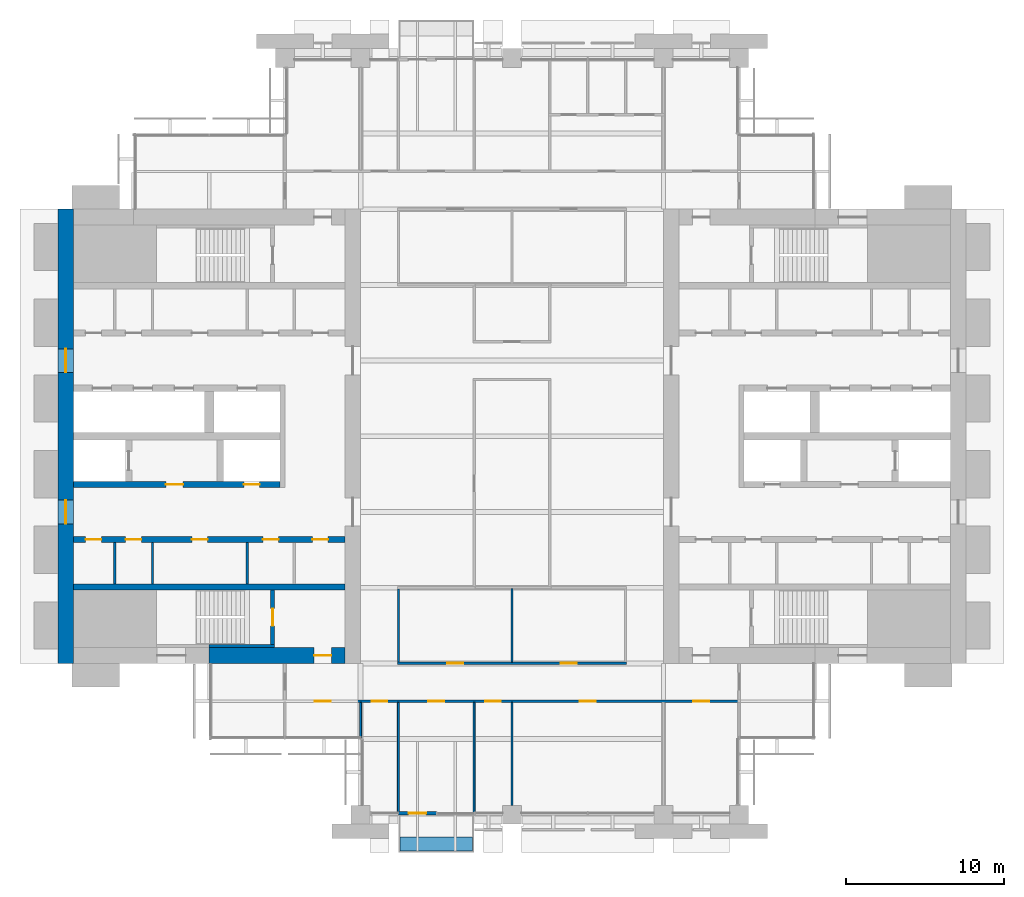
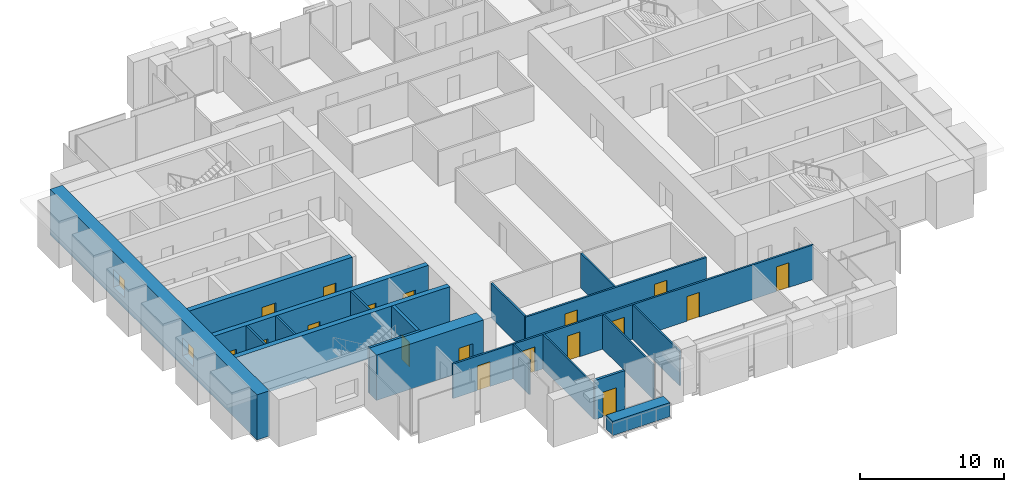
# One storey, part 9 of 15: 20 walls, 18 doors, 2 windows, 20 openings.
"""IFC4 building model written with IfcOpenShell, lengths in metres."""

from ifc_helpers import new_model, si_unit, direction, frame, frame_2d, origin, place, context, subcontext, project, spatial, rectangle, extrude, material, layer, layer_set, type_object, element, fill, save


model = new_model("IFC4")

# Units and contexts
model_context = context("Model", 3, precision=1e-05, world=origin(), true_north=direction((0.0, 1.0)))
body_context = subcontext(model_context, "Body", "Model", "MODEL_VIEW")
ifc_project = project(units=[si_unit("LENGTHUNIT", "METRE"), si_unit("AREAUNIT", "SQUARE_METRE"), si_unit("VOLUMEUNIT", "CUBIC_METRE"), si_unit("PLANEANGLEUNIT", "RADIAN"), si_unit("MASSUNIT", "GRAM", prefix="KILO")], contexts=[model_context])

# Site, building, storey
site_placement = place(None, origin())
site = spatial("IfcSite", under=ifc_project, at=site_placement, CompositionType="ELEMENT")
building_placement = place(site_placement, origin())
building = spatial("IfcBuilding", under=site, at=building_placement, Name="Baori Bourse Tower", CompositionType="ELEMENT")
storey_placement = place(building_placement, frame((0.0, 0.0, 152.10009765625)))
storey = spatial("IfcBuildingStorey", under=building, at=storey_placement, Name="L33", CompositionType="ELEMENT", Elevation=152.10009765625)

# Walls
ifc_material_1 = material(Name="Blockwork partition", Category="masonry")
ifc_layer_1 = layer(ifc_material_1, 0.14990234375)
ifc_layer_set_1 = layer_set([ifc_layer_1], Name="Core partition 150")
wall_type_1 = type_object("IfcWallType", Name="Core partition 150", PredefinedType="PARTITIONING", material=ifc_layer_set_1)
for number, where, z_axis, x_axis, name in (
    (1, (3.60009765625, 14.64990234375, 0.0), (0.0, 0.0, 1.0), (0.0, 1.0, 0.0), "Partition wall W10"),
    (2, (6.0, 14.64990234375, 0.0), (0.0, 0.0, 1.0), (0.0, 1.0, 0.0), "Partition wall W11"),
    (3, (12.0, 14.64990234375, 0.0), (0.0, 0.0, 1.0), (0.0, 1.0, 0.0), "Partition wall W12"),
):
    element("IfcWall", number, at=place(storey_placement, frame(where, z_axis=z_axis, x_axis=x_axis)), inside=storey, type_object=wall_type_1, Name=name, PredefinedType="PARTITIONING", context=body_context, shape_type="SweptSolid", body=[
        extrude(rectangle(XDim=2.60009765625, YDim=0.14990234375, at=frame_2d((1.300048828125, 0.0))), origin(), (0.0, 0.0, 1.0), 3.83984375),
    ])

# Wall, openings, windows
ifc_material_2 = material(Name="Concrete f'c 60 MPa", Category="concrete")
ifc_layer_2 = layer(ifc_material_2, 1.0)
ifc_layer_set_2 = layer_set([ifc_layer_2], Name="Core wall 1000 f'c 60")
wall_type_2 = type_object("IfcWallType", Name="Core wall 1000 f'c 60", PredefinedType="SHEAR", material=ifc_layer_set_2)
wall_1_placement = place(storey_placement, frame((0.5, 9.60009765625, 0.0), z_axis=(0.0, 0.0, 1.0), x_axis=(0.0, 1.0, 0.0)))
wall_1 = element("IfcWall", 4, at=wall_1_placement, inside=storey, type_object=wall_type_2, Name="Core wall W01", PredefinedType="SHEAR", context=body_context, shape_type="SweptSolid", body=[
    extrude(rectangle(XDim=28.7998046875, YDim=1.0, at=frame_2d((14.39990234375, 0.0))), origin(), (0.0, 0.0, 1.0), 3.83984375),
])
opening_1_placement = place(wall_1_placement, frame((8.85009765625, 0.0, 0.89990234375)))
opening_1 = element("IfcOpeningElement", 5, at=opening_1_placement, cuts=wall_1, Name="Opening L33-KW101", PredefinedType="OPENING", context=body_context, shape_type="SweptSolid", body=[
    extrude(rectangle(XDim=1.5, YDim=1.5, at=frame_2d((0.75, 0.75))), frame((0.0, 0.510009765625, 0.0), z_axis=(0.0, -1.0, 0.0), x_axis=(1.0, 0.0, 0.0)), (0.0, 0.0, 1.0), 1.02001953125),
])
opening_2_placement = place(wall_1_placement, frame((18.449951171875, 0.0, 0.89990234375)))
opening_2 = element("IfcOpeningElement", 6, at=opening_2_placement, cuts=wall_1, Name="Opening L33-KW102", PredefinedType="OPENING", context=body_context, shape_type="SweptSolid", body=[
    extrude(rectangle(XDim=1.5, YDim=1.5, at=frame_2d((0.75, 0.75))), frame((0.0, 0.510009765625, 0.0), z_axis=(0.0, -1.0, 0.0), x_axis=(1.0, 0.0, 0.0)), (0.0, 0.0, 1.0), 1.02001953125),
])
ifc_material_3 = material(Name="Pale anodised aluminium", Category="aluminium")
window_type = type_object("IfcWindowType", Name="Lobby window 1500 x 1500", PartitioningType="SINGLE_PANEL", PredefinedType="WINDOW", material=ifc_material_3)
window_1_placement = place(opening_1_placement, origin())
window_1 = element("IfcWindow", 7, at=window_1_placement, inside=storey, type_object=window_type, Name="Outer wall window W L33 1", OverallHeight=1.5, OverallWidth=1.5, PartitioningType="SINGLE_PANEL", PredefinedType="WINDOW", context=body_context, shape_type="SweptSolid", body=[
    extrude(rectangle(XDim=1.5, YDim=1.5, at=frame_2d((0.75, 0.75))), frame((0.0, 0.030029296875, 0.0), z_axis=(0.0, -1.0, 0.0), x_axis=(1.0, 0.0, 0.0)), (0.0, 0.0, 1.0), 0.06005859375),
])
fill(opening_1, window_1)
window_2_placement = place(opening_2_placement, origin())
window_2 = element("IfcWindow", 8, at=window_2_placement, inside=storey, type_object=window_type, Name="Outer wall window W L33 2", OverallHeight=1.5, OverallWidth=1.5, PartitioningType="SINGLE_PANEL", PredefinedType="WINDOW", context=body_context, shape_type="SweptSolid", body=[
    extrude(rectangle(XDim=1.5, YDim=1.5, at=frame_2d((0.75, 0.75))), frame((0.0, 0.030029296875, 0.0), z_axis=(0.0, -1.0, 0.0), x_axis=(1.0, 0.0, 0.0)), (0.0, 0.0, 1.0), 0.06005859375),
])
fill(opening_2, window_2)

# Wall, opening, door
wall_2_placement = place(storey_placement, frame((18.199951171875, 10.10009765625, 0.0), z_axis=(0.0, 0.0, 1.0), x_axis=(-1.0, 0.0, 0.0)))
wall_2 = element("IfcWall", 9, at=wall_2_placement, inside=storey, type_object=wall_type_2, Name="Core wall W03", PredefinedType="SHEAR", context=body_context, shape_type="SweptSolid", body=[
    extrude(rectangle(XDim=8.599853515625, YDim=1.0, at=frame_2d((4.2998046875, 0.0))), origin(), (0.0, 0.0, 1.0), 3.83984375),
])
opening_3_placement = place(wall_2_placement, frame((0.85009765625, 0.0, 0.0)))
opening_3 = element("IfcOpeningElement", 10, at=opening_3_placement, cuts=wall_2, Name="Opening L33-D102", PredefinedType="OPENING", context=body_context, shape_type="SweptSolid", body=[
    extrude(rectangle(XDim=1.10009765625, YDim=2.10009765625, at=frame_2d((0.550048828125, 1.050048828125))), frame((0.0, 0.510009765625, 0.0), z_axis=(0.0, -1.0, 0.0), x_axis=(1.0, 0.0, 0.0)), (0.0, 0.0, 1.0), 1.02001953125),
])
ifc_material_4 = material(Name="Painted steel door", Category="steel")
door_type_1 = type_object("IfcDoorType", Name="Stair door 1100", OperationType="SINGLE_SWING_LEFT", PredefinedType="DOOR", material=ifc_material_4)
door_1_placement = place(opening_3_placement, origin())
door_1 = element("IfcDoor", 11, at=door_1_placement, inside=storey, type_object=door_type_1, Name="Stair vestibule door A W L33", OperationType="SINGLE_SWING_LEFT", OverallHeight=2.10009765625, OverallWidth=1.10009765625, PredefinedType="DOOR", context=body_context, shape_type="SweptSolid", body=[
    extrude(rectangle(XDim=1.10009765625, YDim=2.10009765625, at=frame_2d((0.550048828125, 1.050048828125))), frame((0.0, 0.02490234375, 0.0), z_axis=(0.0, -1.0, 0.0), x_axis=(1.0, 0.0, 0.0)), (0.0, 0.0, 1.0), 0.050048828125),
])
fill(opening_3, door_1)

# Wall, openings, doors
ifc_material_5 = material(Name="Gypsum board partition")
ifc_layer_3 = layer(ifc_material_5, 0.14990234375)
ifc_layer_set_3 = layer_set([ifc_layer_3], Name="Corridor partition 150")
wall_type_3 = type_object("IfcWallType", Name="Corridor partition 150", PredefinedType="PARTITIONING", material=ifc_layer_set_3)
wall_3_placement = place(storey_placement, frame((14.324951171875, 7.199951171875, 0.0), z_axis=(0.0, 0.0, 1.0), x_axis=(1.0, 0.0, 0.0)))
wall_3 = element("IfcWall", 12, at=wall_3_placement, inside=storey, type_object=wall_type_3, Name="Partition", PredefinedType="PARTITIONING", context=body_context, shape_type="SweptSolid", body=[
    extrude(rectangle(XDim=28.949951171875, YDim=0.14990234375, at=frame_2d((14.47509765625, 0.0))), origin(), (0.0, 0.0, 1.0), 2.935546875),
])
opening_4_placement = place(wall_3_placement, frame((1.97509765625, 0.0, 0.0)))
opening_4 = element("IfcOpeningElement", 13, at=opening_4_placement, cuts=wall_3, Name="Opening L33-D01", PredefinedType="OPENING", context=body_context, shape_type="SweptSolid", body=[
    extrude(rectangle(XDim=1.0, YDim=2.10009765625, at=frame_2d((0.5, 1.050048828125))), frame((0.0, 0.0849609375, 0.0), z_axis=(0.0, -1.0, 0.0), x_axis=(1.0, 0.0, 0.0)), (0.0, 0.0, 1.0), 0.169921875),
])
opening_5_placement = place(wall_3_placement, frame((5.574951171875, 0.0, 0.0)))
opening_5 = element("IfcOpeningElement", 14, at=opening_5_placement, cuts=wall_3, Name="Opening L33-D02", PredefinedType="OPENING", context=body_context, shape_type="SweptSolid", body=[
    extrude(rectangle(XDim=1.0, YDim=2.10009765625, at=frame_2d((0.5, 1.050048828125))), frame((0.0, 0.0849609375, 0.0), z_axis=(0.0, -1.0, 0.0), x_axis=(1.0, 0.0, 0.0)), (0.0, 0.0, 1.0), 0.169921875),
])
opening_6_placement = place(wall_3_placement, frame((9.175048828125, 0.0, 0.0)))
opening_6 = element("IfcOpeningElement", 15, at=opening_6_placement, cuts=wall_3, Name="Opening L33-D03", PredefinedType="OPENING", context=body_context, shape_type="SweptSolid", body=[
    extrude(rectangle(XDim=1.0, YDim=2.10009765625, at=frame_2d((0.5, 1.050048828125))), frame((0.0, 0.0849609375, 0.0), z_axis=(0.0, -1.0, 0.0), x_axis=(1.0, 0.0, 0.0)), (0.0, 0.0, 1.0), 0.169921875),
])
opening_7_placement = place(wall_3_placement, frame((12.77490234375, 0.0, 0.0)))
opening_7 = element("IfcOpeningElement", 16, at=opening_7_placement, cuts=wall_3, Name="Opening L33-D04", PredefinedType="OPENING", context=body_context, shape_type="SweptSolid", body=[
    extrude(rectangle(XDim=1.0, YDim=2.10009765625, at=frame_2d((0.5, 1.050048828125))), frame((0.0, 0.0849609375, 0.0), z_axis=(0.0, -1.0, 0.0), x_axis=(1.0, 0.0, 0.0)), (0.0, 0.0, 1.0), 0.169921875),
])
opening_8_placement = place(wall_3_placement, frame((18.77490234375, 0.0, 0.0)))
opening_8 = element("IfcOpeningElement", 17, at=opening_8_placement, cuts=wall_3, Name="Opening L33-D05", PredefinedType="OPENING", context=body_context, shape_type="SweptSolid", body=[
    extrude(rectangle(XDim=1.0, YDim=2.10009765625, at=frame_2d((0.5, 1.050048828125))), frame((0.0, 0.0849609375, 0.0), z_axis=(0.0, -1.0, 0.0), x_axis=(1.0, 0.0, 0.0)), (0.0, 0.0, 1.0), 0.169921875),
])
opening_9_placement = place(wall_3_placement, frame((25.97509765625, 0.0, 0.0)))
opening_9 = element("IfcOpeningElement", 18, at=opening_9_placement, cuts=wall_3, Name="Opening L33-D06", PredefinedType="OPENING", context=body_context, shape_type="SweptSolid", body=[
    extrude(rectangle(XDim=1.0, YDim=2.10009765625, at=frame_2d((0.5, 1.050048828125))), frame((0.0, 0.0849609375, 0.0), z_axis=(0.0, -1.0, 0.0), x_axis=(1.0, 0.0, 0.0)), (0.0, 0.0, 1.0), 0.169921875),
])
ifc_material_6 = material(Name="Timber door leaf", Category="wood")
door_type_2 = type_object("IfcDoorType", Name="Door 1000 x 2100", OperationType="SINGLE_SWING_LEFT", PredefinedType="DOOR", material=ifc_material_6)
door_2_placement = place(opening_4_placement, origin())
door_2 = element("IfcDoor", 19, at=door_2_placement, inside=storey, type_object=door_type_2, Name="Door", OperationType="SINGLE_SWING_LEFT", OverallHeight=2.10009765625, OverallWidth=1.0, PredefinedType="DOOR", context=body_context, shape_type="SweptSolid", body=[
    extrude(rectangle(XDim=1.0, YDim=2.10009765625, at=frame_2d((0.5, 1.050048828125))), frame((0.0, 0.02490234375, 0.0), z_axis=(0.0, -1.0, 0.0), x_axis=(1.0, 0.0, 0.0)), (0.0, 0.0, 1.0), 0.050048828125),
])
fill(opening_4, door_2)
door_3_placement = place(opening_5_placement, origin())
door_3 = element("IfcDoor", 20, at=door_3_placement, inside=storey, type_object=door_type_2, Name="Door", OperationType="SINGLE_SWING_LEFT", OverallHeight=2.10009765625, OverallWidth=1.0, PredefinedType="DOOR", context=body_context, shape_type="SweptSolid", body=[
    extrude(rectangle(XDim=1.0, YDim=2.10009765625, at=frame_2d((0.5, 1.050048828125))), frame((0.0, 0.02490234375, 0.0), z_axis=(0.0, -1.0, 0.0), x_axis=(1.0, 0.0, 0.0)), (0.0, 0.0, 1.0), 0.050048828125),
])
fill(opening_5, door_3)
door_4_placement = place(opening_6_placement, origin())
door_4 = element("IfcDoor", 21, at=door_4_placement, inside=storey, type_object=door_type_2, Name="Door", OperationType="SINGLE_SWING_LEFT", OverallHeight=2.10009765625, OverallWidth=1.0, PredefinedType="DOOR", context=body_context, shape_type="SweptSolid", body=[
    extrude(rectangle(XDim=1.0, YDim=2.10009765625, at=frame_2d((0.5, 1.050048828125))), frame((0.0, 0.02490234375, 0.0), z_axis=(0.0, -1.0, 0.0), x_axis=(1.0, 0.0, 0.0)), (0.0, 0.0, 1.0), 0.050048828125),
])
fill(opening_6, door_4)
door_5_placement = place(opening_7_placement, origin())
door_5 = element("IfcDoor", 22, at=door_5_placement, inside=storey, type_object=door_type_2, Name="Door", OperationType="SINGLE_SWING_LEFT", OverallHeight=2.10009765625, OverallWidth=1.0, PredefinedType="DOOR", context=body_context, shape_type="SweptSolid", body=[
    extrude(rectangle(XDim=1.0, YDim=2.10009765625, at=frame_2d((0.5, 1.050048828125))), frame((0.0, 0.02490234375, 0.0), z_axis=(0.0, -1.0, 0.0), x_axis=(1.0, 0.0, 0.0)), (0.0, 0.0, 1.0), 0.050048828125),
])
fill(opening_7, door_5)
door_6_placement = place(opening_8_placement, origin())
door_6 = element("IfcDoor", 23, at=door_6_placement, inside=storey, type_object=door_type_2, Name="Door", OperationType="SINGLE_SWING_RIGHT", OverallHeight=2.10009765625, OverallWidth=1.0, PredefinedType="DOOR", context=body_context, shape_type="SweptSolid", body=[
    extrude(rectangle(XDim=1.0, YDim=2.10009765625, at=frame_2d((0.5, 1.050048828125))), frame((0.0, 0.02490234375, 0.0), z_axis=(0.0, -1.0, 0.0), x_axis=(1.0, 0.0, 0.0)), (0.0, 0.0, 1.0), 0.050048828125),
])
fill(opening_8, door_6)
door_7_placement = place(opening_9_placement, origin())
door_7 = element("IfcDoor", 24, at=door_7_placement, inside=storey, type_object=door_type_2, Name="Door", OperationType="SINGLE_SWING_RIGHT", OverallHeight=2.10009765625, OverallWidth=1.0, PredefinedType="DOOR", context=body_context, shape_type="SweptSolid", body=[
    extrude(rectangle(XDim=1.0, YDim=2.10009765625, at=frame_2d((0.5, 1.050048828125))), frame((0.0, 0.02490234375, 0.0), z_axis=(0.0, -1.0, 0.0), x_axis=(1.0, 0.0, 0.0)), (0.0, 0.0, 1.0), 0.050048828125),
])
fill(opening_9, door_7)

wall_4_placement = place(storey_placement, frame((21.52490234375, 9.60009765625, 0.0), z_axis=(0.0, 0.0, 1.0), x_axis=(1.0, 0.0, 0.0)))
wall_4 = element("IfcWall", 25, at=wall_4_placement, inside=storey, type_object=wall_type_3, Name="Partition", PredefinedType="PARTITIONING", context=body_context, shape_type="SweptSolid", body=[
    extrude(rectangle(XDim=14.550048828125, YDim=0.14990234375, at=frame_2d((7.27490234375, 0.0))), origin(), (0.0, 0.0, 1.0), 2.935546875),
])
opening_10_placement = place(wall_4_placement, frame((3.175048828125, 0.0, 0.0)))
opening_10 = element("IfcOpeningElement", 26, at=opening_10_placement, cuts=wall_4, Name="Opening L33-D07", PredefinedType="OPENING", context=body_context, shape_type="SweptSolid", body=[
    extrude(rectangle(XDim=1.0, YDim=2.10009765625, at=frame_2d((0.5, 1.050048828125))), frame((0.0, 0.0849609375, 0.0), z_axis=(0.0, -1.0, 0.0), x_axis=(1.0, 0.0, 0.0)), (0.0, 0.0, 1.0), 0.169921875),
])
opening_11_placement = place(wall_4_placement, frame((10.375, 0.0, 0.0)))
opening_11 = element("IfcOpeningElement", 27, at=opening_11_placement, cuts=wall_4, Name="Opening L33-D08", PredefinedType="OPENING", context=body_context, shape_type="SweptSolid", body=[
    extrude(rectangle(XDim=1.0, YDim=2.10009765625, at=frame_2d((0.5, 1.050048828125))), frame((0.0, 0.0849609375, 0.0), z_axis=(0.0, -1.0, 0.0), x_axis=(1.0, 0.0, 0.0)), (0.0, 0.0, 1.0), 0.169921875),
])
door_8_placement = place(opening_10_placement, origin())
door_8 = element("IfcDoor", 28, at=door_8_placement, inside=storey, type_object=door_type_2, Name="Door", OperationType="SINGLE_SWING_RIGHT", OverallHeight=2.10009765625, OverallWidth=1.0, PredefinedType="DOOR", context=body_context, shape_type="SweptSolid", body=[
    extrude(rectangle(XDim=1.0, YDim=2.10009765625, at=frame_2d((0.5, 1.050048828125))), frame((0.0, 0.02490234375, 0.0), z_axis=(0.0, -1.0, 0.0), x_axis=(1.0, 0.0, 0.0)), (0.0, 0.0, 1.0), 0.050048828125),
])
fill(opening_10, door_8)
door_9_placement = place(opening_11_placement, origin())
door_9 = element("IfcDoor", 29, at=door_9_placement, inside=storey, type_object=door_type_2, Name="Door", OperationType="SINGLE_SWING_LEFT", OverallHeight=2.10009765625, OverallWidth=1.0, PredefinedType="DOOR", context=body_context, shape_type="SweptSolid", body=[
    extrude(rectangle(XDim=1.0, YDim=2.10009765625, at=frame_2d((0.5, 1.050048828125))), frame((0.0, 0.02490234375, 0.0), z_axis=(0.0, -1.0, 0.0), x_axis=(1.0, 0.0, 0.0)), (0.0, 0.0, 1.0), 0.050048828125),
])
fill(opening_11, door_9)

# Wall
wall_5_placement = place(storey_placement, frame((21.60009765625, 9.675048828125, 0.0), z_axis=(0.0, 0.0, 1.0), x_axis=(0.0, 1.0, 0.0)))
element("IfcWall", 30, at=wall_5_placement, inside=storey, type_object=wall_type_3, Name="Partition", PredefinedType="PARTITIONING", context=body_context, shape_type="SweptSolid", body=[
    extrude(rectangle(XDim=4.64990234375, YDim=0.14990234375, at=frame_2d((2.324951171875, 0.0))), origin(), (0.0, 0.0, 1.0), 2.935546875),
])

# Wall, opening, door
ifc_material_7 = material(Name="Pale anodised aluminium", Category="aluminium")
ifc_layer_4 = layer(ifc_material_7, 0.199951171875)
ifc_layer_set_4 = layer_set([ifc_layer_4], Name="EW1 External wall bay")
wall_type_4 = type_object("IfcWallType", Name="EW1 External wall bay", PredefinedType="SOLIDWALL", material=ifc_layer_set_4)
wall_6_placement = place(storey_placement, frame((21.60009765625, 0.10009765625, 0.0), z_axis=(0.0, 0.0, 1.0), x_axis=(1.0, 0.0, 0.0)))
wall_6 = element("IfcWall", 31, at=wall_6_placement, inside=storey, type_object=wall_type_4, Name="External wall bay L33 2", PredefinedType="SOLIDWALL", context=body_context, shape_type="SweptSolid", body=[
    extrude(rectangle(XDim=2.39990234375, YDim=0.199951171875, at=frame_2d((1.199951171875, 0.0))), origin(), (0.0, 0.0, 1.0), 3.314208984375),
])
opening_12_placement = place(wall_6_placement, frame((0.64990234375, 0.0, 0.0)))
opening_12 = element("IfcOpeningElement", 32, at=opening_12_placement, cuts=wall_6, Name="Opening L33-D92", PredefinedType="OPENING", context=body_context, shape_type="SweptSolid", body=[
    extrude(rectangle(XDim=1.10009765625, YDim=2.10009765625, at=frame_2d((0.550048828125, 1.050048828125))), frame((0.0, 0.10986328125, 0.0), z_axis=(0.0, -1.0, 0.0), x_axis=(1.0, 0.0, 0.0)), (0.0, 0.0, 1.0), 0.219970703125),
])
ifc_material_8 = material(Name="Pale anodised aluminium", Category="aluminium")
door_type_3 = type_object("IfcDoorType", Name="BL1 Balcony door", OperationType="SINGLE_SWING_LEFT", PredefinedType="DOOR", material=ifc_material_8)
door_10_placement = place(opening_12_placement, origin())
door_10 = element("IfcDoor", 33, at=door_10_placement, inside=storey, type_object=door_type_3, Name="Balcony door L33 2", OperationType="SINGLE_SWING_LEFT", OverallHeight=2.10009765625, OverallWidth=1.10009765625, PredefinedType="DOOR", context=body_context, shape_type="SweptSolid", body=[
    extrude(rectangle(XDim=1.10009765625, YDim=2.10009765625, at=frame_2d((0.550048828125, 1.050048828125))), frame((0.0, 0.02490234375, 0.0), z_axis=(0.0, -1.0, 0.0), x_axis=(1.0, 0.0, 0.0)), (0.0, 0.0, 1.0), 0.050048828125),
])
fill(opening_12, door_10)

# Walls
ifc_material_9 = material(Name="Concrete f'c 40 MPa", Category="concrete")
ifc_layer_5 = layer(ifc_material_9, 0.89990234375)
ifc_layer_set_5 = layer_set([ifc_layer_5], Name="PW1 Planter wall")
wall_type_5 = type_object("IfcWallType", Name="PW1 Planter wall", PredefinedType="USERDEFINED", material=ifc_layer_set_5)
wall_7_placement = place(storey_placement, frame((21.699951171875, -1.85009765625, 0.0), z_axis=(0.0, 0.0, 1.0), x_axis=(1.0, 0.0, 0.0)))
element("IfcWall", 34, at=wall_7_placement, inside=storey, type_object=wall_type_5, Name="Planter balcony S L33 1", ObjectType="PLANTER", PredefinedType="USERDEFINED", context=body_context, shape_type="SweptSolid", body=[
    extrude(rectangle(XDim=4.60009765625, YDim=0.89990234375, at=frame_2d((2.300048828125, 0.0))), origin(), (0.0, 0.0, 1.0), 1.199951171875),
])
ifc_material_10 = material(Name="Gypsum board partition")
ifc_layer_6 = layer(ifc_material_10, 0.125)
ifc_layer_set_6 = layer_set([ifc_layer_6], Name="Partition 125")
wall_type_6 = type_object("IfcWallType", Name="Partition 125", PredefinedType="PARTITIONING", material=ifc_layer_set_6)
wall_8_placement = place(storey_placement, frame((19.199951171875, 4.89990234375, 0.0), z_axis=(0.0, 0.0, 1.0), x_axis=(0.0, 1.0, 0.0)))
element("IfcWall", 35, at=wall_8_placement, inside=storey, type_object=wall_type_6, Name="Partition", PredefinedType="PARTITIONING", context=body_context, shape_type="SweptSolid", body=[
    extrude(rectangle(XDim=2.22509765625, YDim=0.125, at=frame_2d((1.112548828125, 0.0))), origin(), (0.0, 0.0, 1.0), 2.935546875),
])
for number, where, z_axis, x_axis, name in (
    (36, (21.60009765625, 0.10009765625, 0.0), (0.0, 0.0, 1.0), (0.0, 1.0, 0.0), "Partition"),
    (37, (26.39990234375, 0.10009765625, 0.0), (0.0, 0.0, 1.0), (0.0, 1.0, 0.0), "Partition"),
):
    element("IfcWall", number, at=place(storey_placement, frame(where, z_axis=z_axis, x_axis=x_axis)), inside=storey, type_object=wall_type_6, Name=name, PredefinedType="PARTITIONING", context=body_context, shape_type="SweptSolid", body=[
        extrude(rectangle(XDim=7.02490234375, YDim=0.125, at=frame_2d((3.512451171875, 0.0))), origin(), (0.0, 0.0, 1.0), 2.935546875),
    ])
wall_9_placement = place(storey_placement, frame((28.800048828125, 0.60009765625, 0.0), z_axis=(0.0, 0.0, 1.0), x_axis=(0.0, 1.0, 0.0)))
element("IfcWall", 38, at=wall_9_placement, inside=storey, type_object=wall_type_6, Name="Partition", PredefinedType="PARTITIONING", context=body_context, shape_type="SweptSolid", body=[
    extrude(rectangle(XDim=6.52490234375, YDim=0.125, at=frame_2d((3.262451171875, 0.0))), origin(), (0.0, 0.0, 1.0), 2.935546875),
])
wall_10_placement = place(storey_placement, frame((28.800048828125, 9.675048828125, 0.0), z_axis=(0.0, 0.0, 1.0), x_axis=(0.0, 1.0, 0.0)))
element("IfcWall", 39, at=wall_10_placement, inside=storey, type_object=wall_type_6, Name="Partition", PredefinedType="PARTITIONING", context=body_context, shape_type="SweptSolid", body=[
    extrude(rectangle(XDim=4.662353515625, YDim=0.125, at=frame_2d((2.3310546875, 0.0))), origin(), (0.0, 0.0, 1.0), 2.935546875),
])
ifc_material_11 = material(Name="Concrete f'c 60 MPa", Category="concrete")
ifc_layer_7 = layer(ifc_material_11, 0.199951171875)
ifc_layer_set_7 = layer_set([ifc_layer_7], Name="Shaft wall 200 f'c 60")
wall_type_7 = type_object("IfcWallType", Name="Shaft wall 200 f'c 60", PredefinedType="SHEAR", material=ifc_layer_set_7)
wall_11_placement = place(storey_placement, frame((9.60009765625, 10.699951171875, 0.0), z_axis=(0.0, 0.0, 1.0), x_axis=(1.0, 0.0, 0.0)))
element("IfcWall", 40, at=wall_11_placement, inside=storey, type_object=wall_type_7, Name="Core wall W07", PredefinedType="SHEAR", context=body_context, shape_type="SweptSolid", body=[
    extrude(rectangle(XDim=4.14990234375, YDim=0.199951171875, at=frame_2d((2.074951171875, 0.0))), origin(), (0.0, 0.0, 1.0), 3.83984375),
])

# Wall, opening, door
ifc_material_12 = material(Name="Concrete f'c 60 MPa", Category="concrete")
ifc_layer_8 = layer(ifc_material_12, 0.25)
ifc_layer_set_8 = layer_set([ifc_layer_8], Name="Shaft wall 250 f'c 60")
wall_type_8 = type_object("IfcWallType", Name="Shaft wall 250 f'c 60", PredefinedType="SHEAR", material=ifc_layer_set_8)
wall_12_placement = place(storey_placement, frame((13.625, 10.800048828125, 0.0), z_axis=(0.0, 0.0, 1.0), x_axis=(0.0, 1.0, 0.0)))
wall_12 = element("IfcWall", 41, at=wall_12_placement, inside=storey, type_object=wall_type_8, Name="Core wall W08", PredefinedType="SHEAR", context=body_context, shape_type="SweptSolid", body=[
    extrude(rectangle(XDim=3.449951171875, YDim=0.25, at=frame_2d((1.72509765625, 0.0))), origin(), (0.0, 0.0, 1.0), 3.83984375),
])
opening_13_placement = place(wall_12_placement, frame((1.175048828125, 0.0, 0.0)))
opening_13 = element("IfcOpeningElement", 42, at=opening_13_placement, cuts=wall_12, Name="Opening L33-D101", PredefinedType="OPENING", context=body_context, shape_type="SweptSolid", body=[
    extrude(rectangle(XDim=1.10009765625, YDim=2.10009765625, at=frame_2d((0.550048828125, 1.050048828125))), frame((0.0, 0.135009765625, 0.0), z_axis=(0.0, -1.0, 0.0), x_axis=(1.0, 0.0, 0.0)), (0.0, 0.0, 1.0), 0.27001953125),
])
door_11_placement = place(opening_13_placement, origin())
door_11 = element("IfcDoor", 43, at=door_11_placement, inside=storey, type_object=door_type_1, Name="Stair door A W L33", OperationType="SINGLE_SWING_LEFT", OverallHeight=2.10009765625, OverallWidth=1.10009765625, PredefinedType="DOOR", context=body_context, shape_type="SweptSolid", body=[
    extrude(rectangle(XDim=1.10009765625, YDim=2.10009765625, at=frame_2d((0.550048828125, 1.050048828125))), frame((0.0, 0.02490234375, 0.0), z_axis=(0.0, -1.0, 0.0), x_axis=(1.0, 0.0, 0.0)), (0.0, 0.0, 1.0), 0.050048828125),
])
fill(opening_13, door_11)

# Wall
ifc_material_13 = material(Name="Concrete f'c 60 MPa", Category="concrete")
ifc_layer_9 = layer(ifc_material_13, 0.39990234375)
ifc_layer_set_9 = layer_set([ifc_layer_9], Name="Shaft wall 400 f'c 60")
wall_type_9 = type_object("IfcWallType", Name="Shaft wall 400 f'c 60", PredefinedType="SHEAR", material=ifc_layer_set_9)
wall_13_placement = place(storey_placement, frame((1.0, 14.449951171875, 0.0), z_axis=(0.0, 0.0, 1.0), x_axis=(1.0, 0.0, 0.0)))
element("IfcWall", 44, at=wall_13_placement, inside=storey, type_object=wall_type_9, Name="Core wall W09", PredefinedType="SHEAR", context=body_context, shape_type="SweptSolid", body=[
    extrude(rectangle(XDim=17.199951171875, YDim=0.39990234375, at=frame_2d((8.60009765625, 0.0))), origin(), (0.0, 0.0, 1.0), 3.83984375),
])

# Wall, openings, doors
wall_14_placement = place(storey_placement, frame((1.0, 17.449951171875, 0.0), z_axis=(0.0, 0.0, 1.0), x_axis=(1.0, 0.0, 0.0)))
wall_14 = element("IfcWall", 45, at=wall_14_placement, inside=storey, type_object=wall_type_9, Name="Core wall W14", PredefinedType="SHEAR", context=body_context, shape_type="SweptSolid", body=[
    extrude(rectangle(XDim=17.199951171875, YDim=0.39990234375, at=frame_2d((8.60009765625, 0.0))), origin(), (0.0, 0.0, 1.0), 3.83984375),
])
opening_14_placement = place(wall_14_placement, frame((0.762451171875, 0.0, 0.0)))
opening_14 = element("IfcOpeningElement", 46, at=opening_14_placement, cuts=wall_14, Name="Opening L33-D114", PredefinedType="OPENING", context=body_context, shape_type="SweptSolid", body=[
    extrude(rectangle(XDim=1.0, YDim=2.10009765625, at=frame_2d((0.5, 1.050048828125))), frame((0.0, 0.2099609375, 0.0), z_axis=(0.0, -1.0, 0.0), x_axis=(1.0, 0.0, 0.0)), (0.0, 0.0, 1.0), 0.419921875),
])
opening_15_placement = place(wall_14_placement, frame((3.300048828125, 0.0, 0.0)))
opening_15 = element("IfcOpeningElement", 47, at=opening_15_placement, cuts=wall_14, Name="Opening L33-D115", PredefinedType="OPENING", context=body_context, shape_type="SweptSolid", body=[
    extrude(rectangle(XDim=1.0, YDim=2.10009765625, at=frame_2d((0.5, 1.050048828125))), frame((0.0, 0.2099609375, 0.0), z_axis=(0.0, -1.0, 0.0), x_axis=(1.0, 0.0, 0.0)), (0.0, 0.0, 1.0), 0.419921875),
])
opening_16_placement = place(wall_14_placement, frame((7.5, 0.0, 0.0)))
opening_16 = element("IfcOpeningElement", 48, at=opening_16_placement, cuts=wall_14, Name="Opening L33-D116", PredefinedType="OPENING", context=body_context, shape_type="SweptSolid", body=[
    extrude(rectangle(XDim=1.0, YDim=2.10009765625, at=frame_2d((0.5, 1.050048828125))), frame((0.0, 0.2099609375, 0.0), z_axis=(0.0, -1.0, 0.0), x_axis=(1.0, 0.0, 0.0)), (0.0, 0.0, 1.0), 0.419921875),
])
opening_17_placement = place(wall_14_placement, frame((12.0, 0.0, 0.0)))
opening_17 = element("IfcOpeningElement", 49, at=opening_17_placement, cuts=wall_14, Name="Opening L33-D117", PredefinedType="OPENING", context=body_context, shape_type="SweptSolid", body=[
    extrude(rectangle(XDim=1.0, YDim=2.10009765625, at=frame_2d((0.5, 1.050048828125))), frame((0.0, 0.2099609375, 0.0), z_axis=(0.0, -1.0, 0.0), x_axis=(1.0, 0.0, 0.0)), (0.0, 0.0, 1.0), 0.419921875),
])
opening_18_placement = place(wall_14_placement, frame((15.137451171875, 0.0, 0.0)))
opening_18 = element("IfcOpeningElement", 50, at=opening_18_placement, cuts=wall_14, Name="Opening L33-D118", PredefinedType="OPENING", context=body_context, shape_type="SweptSolid", body=[
    extrude(rectangle(XDim=1.0, YDim=2.10009765625, at=frame_2d((0.5, 1.050048828125))), frame((0.0, 0.2099609375, 0.0), z_axis=(0.0, -1.0, 0.0), x_axis=(1.0, 0.0, 0.0)), (0.0, 0.0, 1.0), 0.419921875),
])
ifc_material_14 = material(Name="Painted steel door", Category="steel")
door_type_4 = type_object("IfcDoorType", Name="Core door 1000", OperationType="SINGLE_SWING_LEFT", PredefinedType="DOOR", material=ifc_material_14)
door_12_placement = place(opening_14_placement, origin())
door_12 = element("IfcDoor", 51, at=door_12_placement, inside=storey, type_object=door_type_4, Name="Store Room door W L33", OperationType="SINGLE_SWING_LEFT", OverallHeight=2.10009765625, OverallWidth=1.0, PredefinedType="DOOR", context=body_context, shape_type="SweptSolid", body=[
    extrude(rectangle(XDim=1.0, YDim=2.10009765625, at=frame_2d((0.5, 1.050048828125))), frame((0.0, 0.02490234375, 0.0), z_axis=(0.0, -1.0, 0.0), x_axis=(1.0, 0.0, 0.0)), (0.0, 0.0, 1.0), 0.050048828125),
])
fill(opening_14, door_12)
door_13_placement = place(opening_15_placement, origin())
door_13 = element("IfcDoor", 52, at=door_13_placement, inside=storey, type_object=door_type_4, Name="Pantry door W L33", OperationType="SINGLE_SWING_LEFT", OverallHeight=2.10009765625, OverallWidth=1.0, PredefinedType="DOOR", context=body_context, shape_type="SweptSolid", body=[
    extrude(rectangle(XDim=1.0, YDim=2.10009765625, at=frame_2d((0.5, 1.050048828125))), frame((0.0, 0.02490234375, 0.0), z_axis=(0.0, -1.0, 0.0), x_axis=(1.0, 0.0, 0.0)), (0.0, 0.0, 1.0), 0.050048828125),
])
fill(opening_15, door_13)
door_14_placement = place(opening_16_placement, origin())
door_14 = element("IfcDoor", 53, at=door_14_placement, inside=storey, type_object=door_type_4, Name="Men'S Wc door W L33", OperationType="SINGLE_SWING_LEFT", OverallHeight=2.10009765625, OverallWidth=1.0, PredefinedType="DOOR", context=body_context, shape_type="SweptSolid", body=[
    extrude(rectangle(XDim=1.0, YDim=2.10009765625, at=frame_2d((0.5, 1.050048828125))), frame((0.0, 0.02490234375, 0.0), z_axis=(0.0, -1.0, 0.0), x_axis=(1.0, 0.0, 0.0)), (0.0, 0.0, 1.0), 0.050048828125),
])
fill(opening_16, door_14)
door_15_placement = place(opening_17_placement, origin())
door_15 = element("IfcDoor", 54, at=door_15_placement, inside=storey, type_object=door_type_4, Name="Women'S Wc door W L33", OperationType="SINGLE_SWING_LEFT", OverallHeight=2.10009765625, OverallWidth=1.0, PredefinedType="DOOR", context=body_context, shape_type="SweptSolid", body=[
    extrude(rectangle(XDim=1.0, YDim=2.10009765625, at=frame_2d((0.5, 1.050048828125))), frame((0.0, 0.02490234375, 0.0), z_axis=(0.0, -1.0, 0.0), x_axis=(1.0, 0.0, 0.0)), (0.0, 0.0, 1.0), 0.050048828125),
])
fill(opening_17, door_15)
door_16_placement = place(opening_18_placement, origin())
door_16 = element("IfcDoor", 55, at=door_16_placement, inside=storey, type_object=door_type_4, Name="Accessible Wc door W L33", OperationType="SINGLE_SWING_LEFT", OverallHeight=2.10009765625, OverallWidth=1.0, PredefinedType="DOOR", context=body_context, shape_type="SweptSolid", body=[
    extrude(rectangle(XDim=1.0, YDim=2.10009765625, at=frame_2d((0.5, 1.050048828125))), frame((0.0, 0.02490234375, 0.0), z_axis=(0.0, -1.0, 0.0), x_axis=(1.0, 0.0, 0.0)), (0.0, 0.0, 1.0), 0.050048828125),
])
fill(opening_18, door_16)

wall_15_placement = place(storey_placement, frame((1.0, 20.949951171875, 0.0), z_axis=(0.0, 0.0, 1.0), x_axis=(1.0, 0.0, 0.0)))
wall_15 = element("IfcWall", 56, at=wall_15_placement, inside=storey, type_object=wall_type_9, Name="Core wall W15", PredefinedType="SHEAR", context=body_context, shape_type="SweptSolid", body=[
    extrude(rectangle(XDim=13.10009765625, YDim=0.39990234375, at=frame_2d((6.550048828125, 0.0))), origin(), (0.0, 0.0, 1.0), 3.83984375),
])
opening_19_placement = place(wall_15_placement, frame((5.85009765625, 0.0, 0.0)))
opening_19 = element("IfcOpeningElement", 57, at=opening_19_placement, cuts=wall_15, Name="Opening L33-D105", PredefinedType="OPENING", context=body_context, shape_type="SweptSolid", body=[
    extrude(rectangle(XDim=1.10009765625, YDim=2.10009765625, at=frame_2d((0.550048828125, 1.050048828125))), frame((0.0, 0.2099609375, 0.0), z_axis=(0.0, -1.0, 0.0), x_axis=(1.0, 0.0, 0.0)), (0.0, 0.0, 1.0), 0.419921875),
])
opening_20_placement = place(wall_15_placement, frame((10.800048828125, 0.0, 0.0)))
opening_20 = element("IfcOpeningElement", 58, at=opening_20_placement, cuts=wall_15, Name="Opening L33-D106", PredefinedType="OPENING", context=body_context, shape_type="SweptSolid", body=[
    extrude(rectangle(XDim=1.0, YDim=2.10009765625, at=frame_2d((0.5, 1.050048828125))), frame((0.0, 0.2099609375, 0.0), z_axis=(0.0, -1.0, 0.0), x_axis=(1.0, 0.0, 0.0)), (0.0, 0.0, 1.0), 0.419921875),
])
ifc_material_15 = material(Name="Painted steel door", Category="steel")
door_type_5 = type_object("IfcDoorType", Name="Lobby door 1100", OperationType="SINGLE_SWING_LEFT", PredefinedType="DOOR", material=ifc_material_15)
door_17_placement = place(opening_19_placement, origin())
door_17 = element("IfcDoor", 59, at=door_17_placement, inside=storey, type_object=door_type_5, Name="Firefighting lobby door W L33", OperationType="SINGLE_SWING_LEFT", OverallHeight=2.10009765625, OverallWidth=1.10009765625, PredefinedType="DOOR", context=body_context, shape_type="SweptSolid", body=[
    extrude(rectangle(XDim=1.10009765625, YDim=2.10009765625, at=frame_2d((0.550048828125, 1.050048828125))), frame((0.0, 0.02490234375, 0.0), z_axis=(0.0, -1.0, 0.0), x_axis=(1.0, 0.0, 0.0)), (0.0, 0.0, 1.0), 0.050048828125),
])
fill(opening_19, door_17)
ifc_material_16 = material(Name="Painted steel door", Category="steel")
door_type_6 = type_object("IfcDoorType", Name="Shaft door 1000", OperationType="SINGLE_SWING_LEFT", PredefinedType="DOOR", material=ifc_material_16)
door_18_placement = place(opening_20_placement, origin())
door_18 = element("IfcDoor", 60, at=door_18_placement, inside=storey, type_object=door_type_6, Name="Riser room door W L33", OperationType="SINGLE_SWING_LEFT", OverallHeight=2.10009765625, OverallWidth=1.0, PredefinedType="DOOR", context=body_context, shape_type="SweptSolid", body=[
    extrude(rectangle(XDim=1.0, YDim=2.10009765625, at=frame_2d((0.5, 1.050048828125))), frame((0.0, 0.02490234375, 0.0), z_axis=(0.0, -1.0, 0.0), x_axis=(1.0, 0.0, 0.0)), (0.0, 0.0, 1.0), 0.050048828125),
])
fill(opening_20, door_18)

save(model, "model.ifc")
